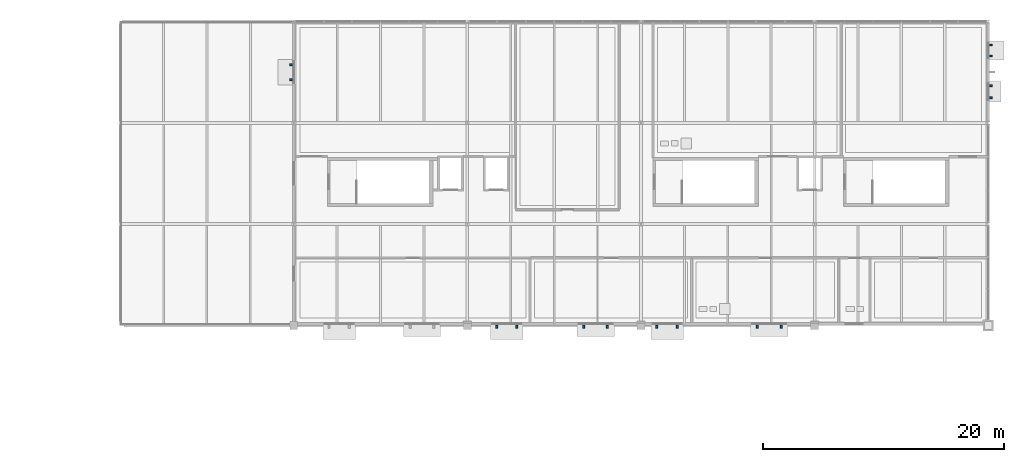
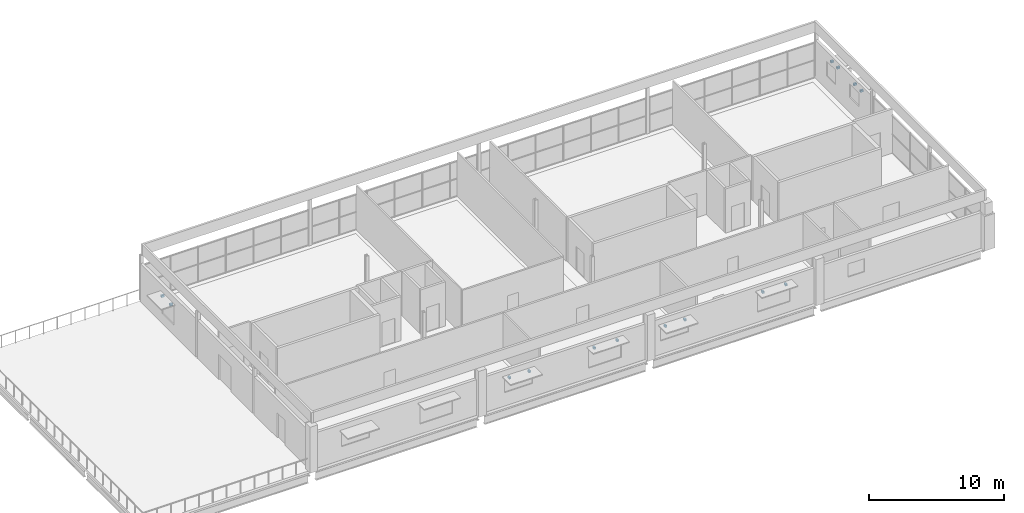
# One storey, part 41 of 43: 14 discrete accessories.
"""IFC4 building model written with IfcOpenShell, lengths in metres."""

from ifc_helpers import new_model, si_unit, direction, frame, origin, origin_2d, place, context, subcontext, project, spatial, rectangle, extrude, material, type_object, element, save


model = new_model("IFC4")

# Units and contexts
model_context = context("Model", 3, precision=1e-05, world=origin(), true_north=direction((0.0, 1.0)))
body_context = subcontext(model_context, "Body", "Model", "MODEL_VIEW")
ifc_project = project(units=[si_unit("LENGTHUNIT", "METRE"), si_unit("AREAUNIT", "SQUARE_METRE"), si_unit("VOLUMEUNIT", "CUBIC_METRE"), si_unit("PLANEANGLEUNIT", "RADIAN"), si_unit("MASSUNIT", "GRAM", prefix="KILO"), si_unit("THERMODYNAMICTEMPERATUREUNIT", "KELVIN")], contexts=[model_context])

# Site, building, storey
site_placement = place(None, origin())
site = spatial("IfcSite", under=ifc_project, at=site_placement, CompositionType="ELEMENT")
building_placement = place(site_placement, origin())
building = spatial("IfcBuilding", under=site, at=building_placement, Name="Nduvali Passage Aquatics Centre", CompositionType="ELEMENT")
storey_placement = place(building_placement, frame((0.0, 0.0, 17.39990234375)))
storey = spatial("IfcBuildingStorey", under=building, at=storey_placement, Name="L04", CompositionType="ELEMENT", Elevation=17.39990234375)

# Discrete accessories
ifc_material = material(Name="Steel S355", Category="steel")
discrete_accessory_type = type_object("IfcDiscreteAccessoryType", Name="ENV-BRK-S355", PredefinedType="BRACKET", material=ifc_material)
for number, where, z_axis, x_axis, name in (
    (1, (68.169921875, 114.037109375, 2.580078125), (0.0, 0.0, 1.0), (0.0, -1.0, 0.0), "L04 Sunshade Bracket 0143"),
    (2, (68.169921875, 112.777099609375, 2.580078125), (0.0, 0.0, 1.0), (0.0, -1.0, 0.0), "L04 Sunshade Bracket 0144"),
    (3, (126.22998046875, 111.287109375, 2.43505859375), (0.0, 0.0, 1.0), (0.0, 1.0, 0.0), "L04 Sunshade Bracket 0145"),
    (4, (126.22998046875, 112.26708984375, 2.43505859375), (0.0, 0.0, 1.0), (0.0, 1.0, 0.0), "L04 Sunshade Bracket 0146"),
    (5, (126.22998046875, 114.7470703125, 2.43017578125), (0.0, 0.0, 1.0), (0.0, 1.0, 0.0), "L04 Sunshade Bracket 0147"),
    (6, (126.22998046875, 115.656982421875, 2.43017578125), (0.0, 0.0, 1.0), (0.0, 1.0, 0.0), "L04 Sunshade Bracket 0148"),
    (7, (85.221923828125, 92.300048828125, 2.43017578125), (0.0, 0.0, 1.0), (1.0, 0.0, 0.0), "L04 Sunshade Bracket 0153"),
    (8, (86.902099609375, 92.300048828125, 2.43017578125), (0.0, 0.0, 1.0), (1.0, 0.0, 0.0), "L04 Sunshade Bracket 0154"),
    (9, (92.45703125, 92.300048828125, 2.5849609375), (0.0, 0.0, 1.0), (1.0, 0.0, 0.0), "L04 Sunshade Bracket 0155"),
    (10, (94.4169921875, 92.300048828125, 2.5849609375), (0.0, 0.0, 1.0), (1.0, 0.0, 0.0), "L04 Sunshade Bracket 0156"),
    (11, (98.52197265625, 92.300048828125, 2.43017578125), (0.0, 0.0, 1.0), (1.0, 0.0, 0.0), "L04 Sunshade Bracket 0157"),
    (12, (100.201904296875, 92.300048828125, 2.43017578125), (0.0, 0.0, 1.0), (1.0, 0.0, 0.0), "L04 Sunshade Bracket 0158"),
    (13, (106.85693359375, 92.300048828125, 2.5849609375), (0.0, 0.0, 1.0), (1.0, 0.0, 0.0), "L04 Sunshade Bracket 0159"),
    (14, (108.81689453125, 92.300048828125, 2.5849609375), (0.0, 0.0, 1.0), (1.0, 0.0, 0.0), "L04 Sunshade Bracket 0160"),
):
    element("IfcDiscreteAccessory", number, at=place(storey_placement, frame(where, z_axis=z_axis, x_axis=x_axis)), inside=storey, type_object=discrete_accessory_type, Name=name, PredefinedType="BRACKET", context=body_context, shape_type="SweptSolid", body=[
        extrude(rectangle(XDim=0.159912109375, YDim=0.239990234375, at=origin_2d()), origin(), (0.0, 0.0, 1.0), 0.179931640625),
    ])

save(model, "model.ifc")
